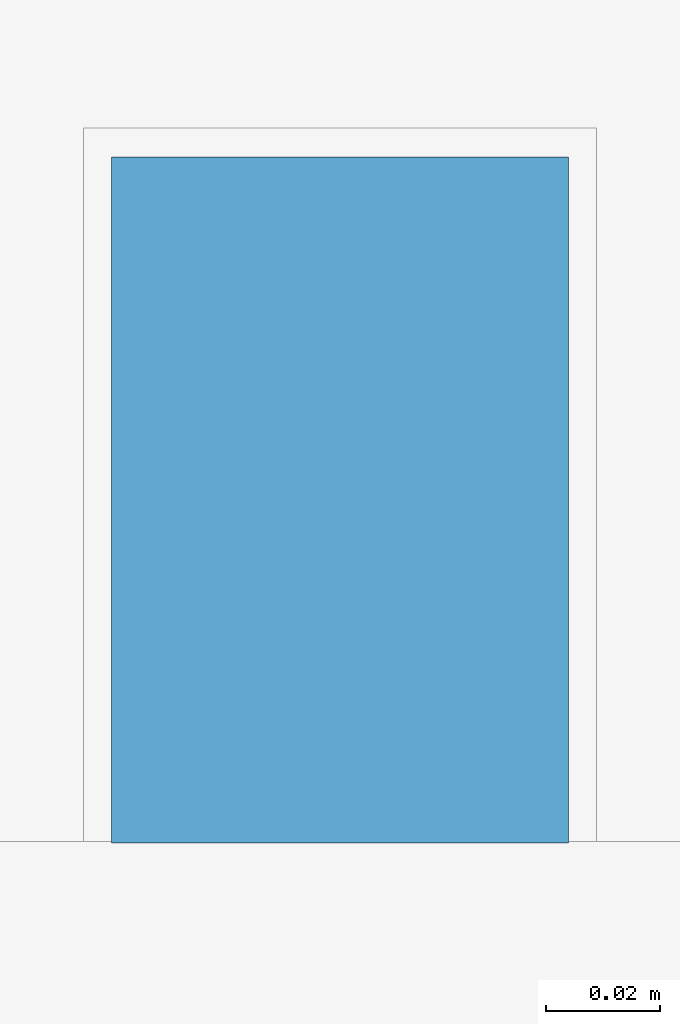
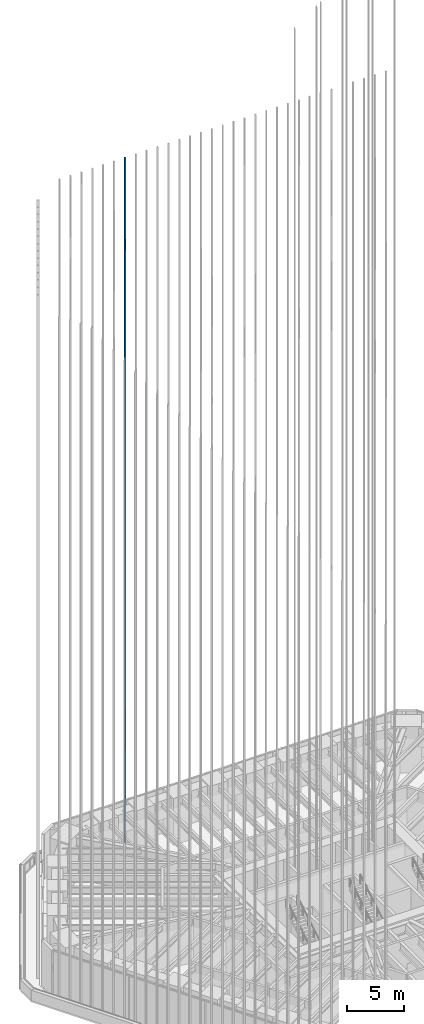
# One storey, part 162 of 228: 1 member, 1 element without a shape of its own.
"""IFC4 building model written with IfcOpenShell, lengths in metres."""

from ifc_helpers import new_model, si_unit, direction, frame, origin, origin_2d, place, context, subcontext, project, spatial, rectangle, extrude, material, material_profile, profile_set, type_object, element, aggregate, save


model = new_model("IFC4")

# Units and contexts
model_context = context("Model", 3, precision=1e-05, world=origin(), true_north=direction((0.0, 1.0)))
body_context = subcontext(model_context, "Body", "Model", "MODEL_VIEW")
ifc_project = project(units=[si_unit("LENGTHUNIT", "METRE"), si_unit("AREAUNIT", "SQUARE_METRE"), si_unit("VOLUMEUNIT", "CUBIC_METRE"), si_unit("PLANEANGLEUNIT", "RADIAN"), si_unit("MASSUNIT", "GRAM", prefix="KILO")], contexts=[model_context])

# Site, building, storey
site_placement = place(None, origin())
site = spatial("IfcSite", under=ifc_project, at=site_placement, CompositionType="ELEMENT")
building_placement = place(site_placement, origin())
building = spatial("IfcBuilding", under=site, at=building_placement, Name="Sandreach Pilgrim Tower", CompositionType="ELEMENT")
storey_placement = place(building_placement, frame((0.0, 0.0, 178.199951171875)))
storey = spatial("IfcBuildingStorey", under=building, at=storey_placement, Name="L44", CompositionType="ELEMENT", Elevation=178.199951171875)

# Curtain wall, member
ifc_material_1 = material(Name="Aluminium framed curtain wall", Category="aluminium")
curtain_wall_type = type_object("IfcCurtainWallType", Name="Upper hotel tower curtain wall", PredefinedType="NOTDEFINED", material=ifc_material_1)
curtain_wall_placement = place(storey_placement, origin())
curtain_wall = element("IfcCurtainWall", 1, at=curtain_wall_placement, inside=storey, type_object=curtain_wall_type, Name="CW-3 L44 N", PredefinedType="NOTDEFINED")
ifc_material_2 = material(Name="Extruded terracotta on aluminium core", Category="masonry")
ifc_material_profile = material_profile(ifc_material_2, rectangle(XDim=0.080078125, YDim=0.1201171875, at=origin_2d()), Name="TBN 80X120")
ifc_profile_set = profile_set([ifc_material_profile], Name="Extruded terracotta on aluminium core")
member_type = type_object("IfcMemberType", Name="Terracotta baguette north", PredefinedType="USERDEFINED", material=ifc_profile_set)
member_placement = place(storey_placement, frame((-9.898681640625, 21.52001953125, 0.0), z_axis=(0.0, 0.0, 1.0), x_axis=(1.0, 0.0, 0.0)))
member = element("IfcMember", 2, at=member_placement, type_object=member_type, Name="Baguette Z3 N07", ObjectType="BAGUETTE", PredefinedType="USERDEFINED", context=body_context, shape_type="SweptSolid", body=[
    extrude(rectangle(XDim=0.080078125, YDim=0.1201171875, at=origin_2d()), origin(), (0.0, 0.0, 1.0), 73.239990234375),
])
aggregate(curtain_wall, [member])

save(model, "model.ifc")
